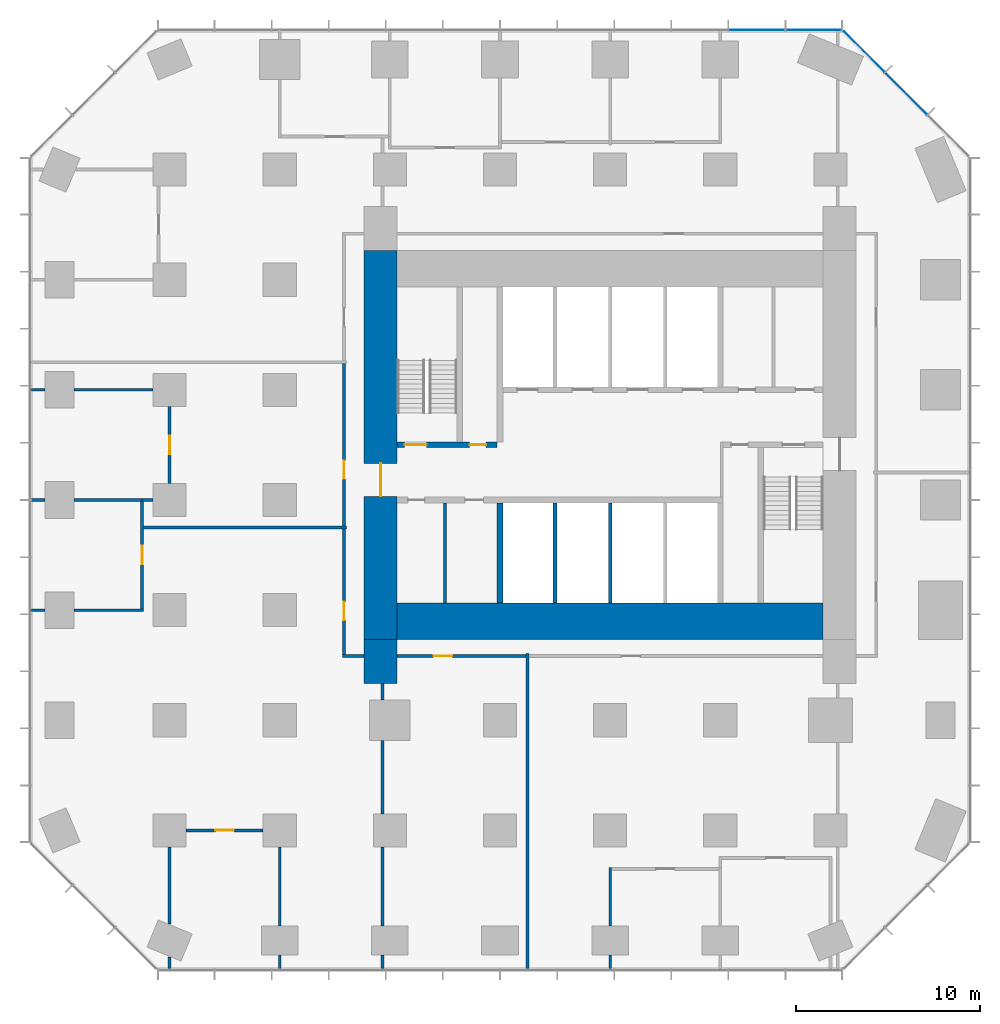
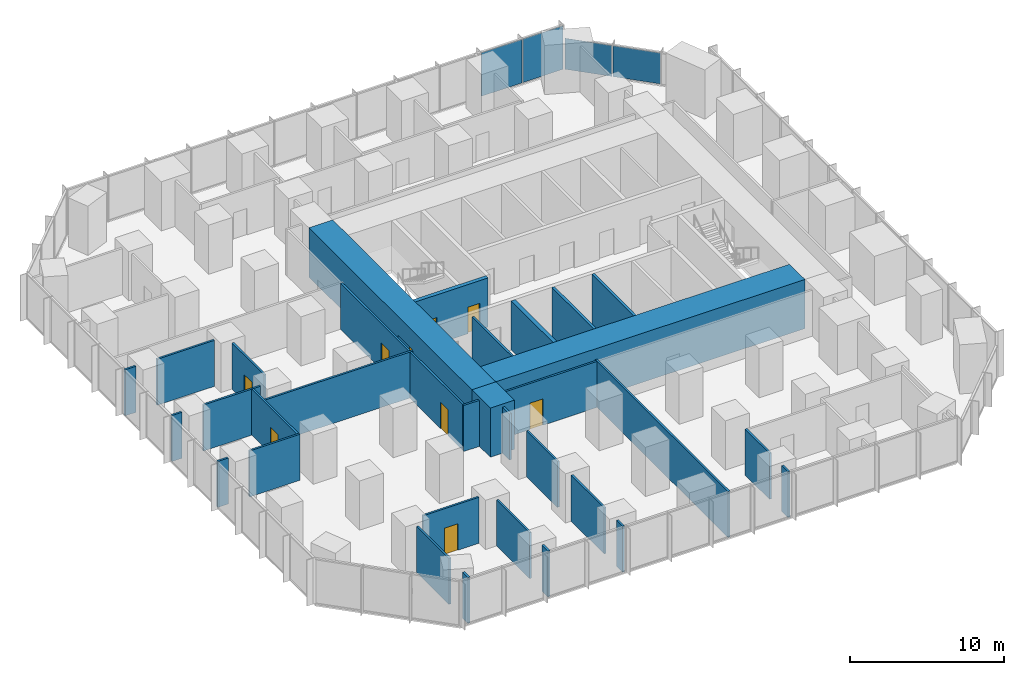
# One storey, part 8 of 12: 34 walls, 9 doors, 4 plates, 9 openings, 2 elements without a shape of their own.
"""IFC4 building model written with IfcOpenShell, lengths in metres."""

from ifc_helpers import new_model, si_unit, direction, frame, frame_2d, origin, origin_2d, place, context, subcontext, project, spatial, rectangle, extrude, material, layer, layer_set, type_object, element, fill, aggregate, save


model = new_model("IFC4")

# Units and contexts
model_context = context("Model", 3, precision=1e-05, world=origin(), true_north=direction((0.0, 1.0)))
body_context = subcontext(model_context, "Body", "Model", "MODEL_VIEW")
ifc_project = project(units=[si_unit("LENGTHUNIT", "METRE"), si_unit("AREAUNIT", "SQUARE_METRE"), si_unit("VOLUMEUNIT", "CUBIC_METRE"), si_unit("PLANEANGLEUNIT", "RADIAN"), si_unit("MASSUNIT", "GRAM", prefix="KILO")], contexts=[model_context])

# Site, building, storey
site_placement = place(None, origin())
site = spatial("IfcSite", under=ifc_project, at=site_placement, CompositionType="ELEMENT")
building_placement = place(site_placement, origin())
building = spatial("IfcBuilding", under=site, at=building_placement, Name="Highveld Stack Headquarters", CompositionType="ELEMENT")
storey_placement = place(building_placement, frame((0.0, 0.0, 37.699951171875)))
storey = spatial("IfcBuildingStorey", under=building, at=storey_placement, Name="L08", CompositionType="ELEMENT", Elevation=37.699951171875)

# Curtain wall, plates
ifc_material_1 = material(Name="Aluminium bronze anodised", Category="aluminium")
ifc_layer_1 = layer(ifc_material_1, 0.199951171875)
ifc_layer_set_1 = layer_set([ifc_layer_1], Name="Aluminium bronze anodised")
curtain_wall_type_1 = type_object("IfcCurtainWallType", Name="CW1 TOWER UNITISED CURTAIN WALL", PredefinedType="NOTDEFINED", material=ifc_layer_set_1)
curtain_wall_1_placement = place(storey_placement, origin())
curtain_wall_1 = element("IfcCurtainWall", 1, at=curtain_wall_1_placement, inside=storey, type_object=curtain_wall_type_1, Name="Curtain wall CW1 L08 N", PredefinedType="NOTDEFINED")
ifc_material_2 = material(Name="Glass bronze tinted double glazed unit", Category="glass")
ifc_layer_2 = layer(ifc_material_2, 0.028076171875)
ifc_layer_set_2 = layer_set([ifc_layer_2], Name="Glass bronze tinted double glazed unit")
plate_type_1 = type_object("IfcPlateType", Name="CW1 PANEL BRONZE TINTED DOUBLE GLAZED UNIT", PredefinedType="CURTAIN_PANEL", material=ifc_layer_set_2)
plate_1_placement = place(storey_placement, frame((17.09130859375, 25.60009765625, 0.10009765625), z_axis=(0.0, 0.0, 1.0), x_axis=(-1.0, 0.0, 0.0)))
plate_1 = element("IfcPlate", 2, at=plate_1_placement, type_object=plate_type_1, Name="CW1 panel L08 1.1", PredefinedType="CURTAIN_PANEL", context=body_context, shape_type="SweptSolid", body=[
    extrude(rectangle(XDim=3.012939453125, YDim=0.028076171875, at=origin_2d()), origin(), (0.0, 0.0, 1.0), 3.449951171875),
])
plate_2_placement = place(storey_placement, frame((13.9970703125, 25.60009765625, 0.10009765625), z_axis=(0.0, 0.0, 1.0), x_axis=(-1.0, 0.0, 0.0)))
plate_2 = element("IfcPlate", 3, at=plate_2_placement, type_object=plate_type_1, Name="CW1 panel L08 2.1", PredefinedType="CURTAIN_PANEL", context=body_context, shape_type="SweptSolid", body=[
    extrude(rectangle(XDim=3.04541015625, YDim=0.028076171875, at=origin_2d()), origin(), (0.0, 0.0, 1.0), 3.449951171875),
])
aggregate(curtain_wall_1, [plate_1, plate_2])

ifc_material_3 = material(Name="Aluminium bronze anodised", Category="aluminium")
ifc_layer_3 = layer(ifc_material_3, 0.199951171875)
ifc_layer_set_3 = layer_set([ifc_layer_3], Name="Aluminium bronze anodised")
curtain_wall_type_2 = type_object("IfcCurtainWallType", Name="CW2 TOWER CHAMFER UNITISED CURTAIN WALL", PredefinedType="NOTDEFINED", material=ifc_layer_set_3)
curtain_wall_2_placement = place(storey_placement, origin())
curtain_wall_2 = element("IfcCurtainWall", 4, at=curtain_wall_2_placement, inside=storey, type_object=curtain_wall_type_2, Name="Curtain wall CW2 L08 NE", PredefinedType="NOTDEFINED")
ifc_material_4 = material(Name="Glass bronze tinted double glazed unit", Category="glass")
ifc_layer_4 = layer(ifc_material_4, 0.028076171875)
ifc_layer_set_4 = layer_set([ifc_layer_4], Name="Glass bronze tinted double glazed unit")
plate_type_2 = type_object("IfcPlateType", Name="CW2 PANEL BRONZE TINTED DOUBLE GLAZED UNIT", PredefinedType="CURTAIN_PANEL", material=ifc_layer_set_4)
plate_3_placement = place(storey_placement, frame((22.13134765625, 22.13134765625, 0.10009765625), z_axis=(0.0, 0.0, 1.0), x_axis=(-0.707106781187, 0.707106781187, 0.0)))
plate_3 = element("IfcPlate", 5, at=plate_3_placement, type_object=plate_type_2, Name="CW2 panel L08 2.1", PredefinedType="CURTAIN_PANEL", context=body_context, shape_type="SweptSolid", body=[
    extrude(rectangle(XDim=3.205322265625, YDim=0.028076171875, at=origin_2d()), origin(), (0.0, 0.0, 1.0), 2.449951171875),
])
plate_4_placement = place(storey_placement, frame((19.8427734375, 24.419921875, 0.10009765625), z_axis=(0.0, 0.0, 1.0), x_axis=(-0.707106781187, 0.707106781187, 0.0)))
plate_4 = element("IfcPlate", 6, at=plate_4_placement, type_object=plate_type_2, Name="CW2 panel L08 3.1", PredefinedType="CURTAIN_PANEL", context=body_context, shape_type="SweptSolid", body=[
    extrude(rectangle(XDim=3.1376953125, YDim=0.028076171875, at=origin_2d()), origin(), (0.0, 0.0, 1.0), 2.449951171875),
])
aggregate(curtain_wall_2, [plate_3, plate_4])

# Wall, opening, door
ifc_material_5 = material(Name="Concrete C60/75", Category="concrete")
ifc_layer_5 = layer(ifc_material_5, 1.800048828125)
ifc_layer_set_5 = layer_set([ifc_layer_5], Name="Concrete C60/75")
wall_type_1 = type_object("IfcWallType", Name="CORE WALL 1800 C60/75", PredefinedType="SHEAR", material=ifc_layer_set_5)
wall_1_placement = place(storey_placement, frame((-6.5, -7.60009765625, 0.0), z_axis=(0.0, 0.0, 1.0), x_axis=(0.0, 1.0, 0.0)))
wall_1 = element("IfcWall", 7, at=wall_1_placement, inside=storey, type_object=wall_type_1, Name="Core wall W L08", PredefinedType="SHEAR", context=body_context, shape_type="SweptSolid", body=[
    extrude(rectangle(XDim=21.2001953125, YDim=1.800048828125, at=frame_2d((10.60009765625, 0.0))), origin(), (0.0, 0.0, 1.0), 3.900146484375),
])
opening_1_placement = place(wall_1_placement, frame((7.800048828125, 0.0, 0.0)))
opening_1 = element("IfcOpeningElement", 8, at=opening_1_placement, cuts=wall_1, Name="Opening L08-01", PredefinedType="OPENING", context=body_context, shape_type="SweptSolid", body=[
    extrude(rectangle(XDim=1.800048828125, YDim=2.39990234375, at=frame_2d((0.89990234375, 1.199951171875))), frame((0.0, 0.909912109375, 0.0), z_axis=(0.0, -1.0, 0.0), x_axis=(1.0, 0.0, 0.0)), (0.0, 0.0, 1.0), 1.820068359375),
])
ifc_material_6 = material(Name="Steel fire door", Category="steel")
door_type_1 = type_object("IfcDoorType", Name="LOBBY FIRE DOOR D4 1800x2400", OperationType="DOUBLE_DOOR_SINGLE_SWING", PredefinedType="DOOR", material=ifc_material_6)
door_1_placement = place(opening_1_placement, origin())
door_1 = element("IfcDoor", 9, at=door_1_placement, inside=storey, type_object=door_type_1, Name="Core west door L08", OperationType="DOUBLE_DOOR_SINGLE_SWING", OverallHeight=2.39990234375, OverallWidth=1.800048828125, PredefinedType="DOOR", context=body_context, shape_type="SweptSolid", body=[
    extrude(rectangle(XDim=1.800048828125, YDim=2.39990234375, at=frame_2d((0.89990234375, 1.199951171875))), frame((0.0, 0.02490234375, 0.0), z_axis=(0.0, -1.0, 0.0), x_axis=(1.0, 0.0, 0.0)), (0.0, 0.0, 1.0), 0.050048828125),
])
fill(opening_1, door_1)

# Wall
ifc_material_7 = material(Name="Concrete C60/75", Category="concrete")
ifc_layer_6 = layer(ifc_material_7, 2.0)
ifc_layer_set_6 = layer_set([ifc_layer_6], Name="Concrete C60/75")
wall_type_2 = type_object("IfcWallType", Name="CORE WALL 2000 C60/75", PredefinedType="SHEAR", material=ifc_layer_set_6)
wall_2_placement = place(storey_placement, frame((-5.60009765625, -6.60009765625, 0.0), z_axis=(0.0, 0.0, 1.0), x_axis=(1.0, 0.0, 0.0)))
element("IfcWall", 10, at=wall_2_placement, inside=storey, type_object=wall_type_2, Name="Core wall S L08", PredefinedType="SHEAR", context=body_context, shape_type="SweptSolid", body=[
    extrude(rectangle(XDim=23.2001953125, YDim=2.0, at=frame_2d((11.60009765625, 0.0))), origin(), (0.0, 0.0, 1.0), 3.900146484375),
])

# Wall, openings, doors
ifc_material_8 = material(Name="Concrete C60/75", Category="concrete")
ifc_layer_7 = layer(ifc_material_8, 0.300048828125)
ifc_layer_set_7 = layer_set([ifc_layer_7], Name="Concrete C60/75")
wall_type_3 = type_object("IfcWallType", Name="CORE WALL 300 C60/75", PredefinedType="SHEAR", material=ifc_layer_set_7)
wall_3_placement = place(storey_placement, frame((-5.60009765625, 3.0, 0.0), z_axis=(0.0, 0.0, 1.0), x_axis=(1.0, 0.0, 0.0)))
wall_3 = element("IfcWall", 11, at=wall_3_placement, inside=storey, type_object=wall_type_3, Name="Core wall I-Y3W L08", PredefinedType="SHEAR", context=body_context, shape_type="SweptSolid", body=[
    extrude(rectangle(XDim=5.4501953125, YDim=0.300048828125, at=frame_2d((2.72509765625, 0.0))), origin(), (0.0, 0.0, 1.0), 3.900146484375),
])
opening_2_placement = place(wall_3_placement, frame((0.39990234375, 0.0, 0.0)))
opening_2 = element("IfcOpeningElement", 12, at=opening_2_placement, cuts=wall_3, Name="Opening L08-03", PredefinedType="OPENING", context=body_context, shape_type="SweptSolid", body=[
    extrude(rectangle(XDim=1.199951171875, YDim=2.10009765625, at=frame_2d((0.60009765625, 1.050048828125))), frame((0.0, 0.159912109375, 0.0), z_axis=(0.0, -1.0, 0.0), x_axis=(1.0, 0.0, 0.0)), (0.0, 0.0, 1.0), 0.320068359375),
])
opening_3_placement = place(wall_3_placement, frame((3.949951171875, 0.0, 0.0)))
opening_3 = element("IfcOpeningElement", 13, at=opening_3_placement, cuts=wall_3, Name="Opening L08-04", PredefinedType="OPENING", context=body_context, shape_type="SweptSolid", body=[
    extrude(rectangle(XDim=0.89990234375, YDim=2.10009765625, at=frame_2d((0.449951171875, 1.050048828125))), frame((0.0, 0.159912109375, 0.0), z_axis=(0.0, -1.0, 0.0), x_axis=(1.0, 0.0, 0.0)), (0.0, 0.0, 1.0), 0.320068359375),
])
ifc_material_9 = material(Name="Steel fire door", Category="steel")
door_type_2 = type_object("IfcDoorType", Name="RISER ACCESS DOOR D5 900x2100", OperationType="SINGLE_SWING_LEFT", PredefinedType="DOOR", material=ifc_material_9)
door_2_placement = place(opening_3_placement, origin())
door_2 = element("IfcDoor", 14, at=door_2_placement, inside=storey, type_object=door_type_2, Name="Riser R1 door L08", OperationType="SINGLE_SWING_RIGHT", OverallHeight=2.10009765625, OverallWidth=0.89990234375, PredefinedType="DOOR", context=body_context, shape_type="SweptSolid", body=[
    extrude(rectangle(XDim=0.89990234375, YDim=2.10009765625, at=frame_2d((0.449951171875, 1.050048828125))), frame((0.0, 0.02490234375, 0.0), z_axis=(0.0, -1.0, 0.0), x_axis=(1.0, 0.0, 0.0)), (0.0, 0.0, 1.0), 0.050048828125),
])
fill(opening_3, door_2)
ifc_material_10 = material(Name="Steel fire door", Category="steel")
door_type_3 = type_object("IfcDoorType", Name="STAIR FIRE DOOR D3 1200x2100", OperationType="SINGLE_SWING_LEFT", PredefinedType="DOOR", material=ifc_material_10)
door_3_placement = place(opening_2_placement, origin())
door_3 = element("IfcDoor", 15, at=door_3_placement, inside=storey, type_object=door_type_3, Name="Stair S1 door L08", OperationType="SINGLE_SWING_LEFT", OverallHeight=2.10009765625, OverallWidth=1.199951171875, PredefinedType="DOOR", context=body_context, shape_type="SweptSolid", body=[
    extrude(rectangle(XDim=1.199951171875, YDim=2.10009765625, at=frame_2d((0.60009765625, 1.050048828125))), frame((0.0, 0.02490234375, 0.0), z_axis=(0.0, -1.0, 0.0), x_axis=(1.0, 0.0, 0.0)), (0.0, 0.0, 1.0), 0.050048828125),
])
fill(opening_2, door_3)

# Walls
wall_4_placement = place(storey_placement, frame((0.0, -5.60009765625, 0.0), z_axis=(0.0, 0.0, 1.0), x_axis=(0.0, 1.0, 0.0)))
element("IfcWall", 16, at=wall_4_placement, inside=storey, type_object=wall_type_3, Name="Core wall I-X0S L08", PredefinedType="SHEAR", context=body_context, shape_type="SweptSolid", body=[
    extrude(rectangle(XDim=5.4501953125, YDim=0.300048828125, at=frame_2d((2.72509765625, 0.0))), origin(), (0.0, 0.0, 1.0), 3.900146484375),
])
ifc_material_11 = material(Name="Concrete C60/75", Category="concrete")
ifc_layer_8 = layer(ifc_material_11, 1.800048828125)
ifc_layer_set_8 = layer_set([ifc_layer_8], Name="Concrete C60/75")
wall_type_4 = type_object("IfcWallType", Name="CORE WING WALL 1800 C60/75", PredefinedType="SHEAR", material=ifc_layer_set_8)
wall_5_placement = place(storey_placement, frame((-6.5, -10.0, 0.0), z_axis=(0.0, 0.0, 1.0), x_axis=(0.0, 1.0, 0.0)))
element("IfcWall", 17, at=wall_5_placement, inside=storey, type_object=wall_type_4, Name="Core wing wall WS L08", PredefinedType="SHEAR", context=body_context, shape_type="SweptSolid", body=[
    extrude(rectangle(XDim=2.39990234375, YDim=1.800048828125, at=frame_2d((1.199951171875, 0.0))), origin(), (0.0, 0.0, 1.0), 3.900146484375),
])

# Wall, opening, door
ifc_material_12 = material(Name="Laminated glass in aluminium frame", Category="aluminium")
ifc_layer_9 = layer(ifc_material_12, 0.14990234375)
ifc_layer_set_9 = layer_set([ifc_layer_9], Name="Laminated glass in aluminium frame")
wall_type_5 = type_object("IfcWallType", Name="GLAZED PARTITION 150", PredefinedType="PARTITIONING", material=ifc_layer_set_9)
wall_6_placement = place(storey_placement, frame((-18.0, 0.89990234375, 0.0), z_axis=(0.0, 0.0, 1.0), x_axis=(0.0, 1.0, 0.0)))
wall_6 = element("IfcWall", 18, at=wall_6_placement, inside=storey, type_object=wall_type_5, Name="Glazed partition Meeting room L08", PredefinedType="PARTITIONING", context=body_context, shape_type="SweptSolid", body=[
    extrude(rectangle(XDim=4.2001953125, YDim=0.14990234375, at=frame_2d((2.10009765625, 0.0))), origin(), (0.0, 0.0, 1.0), 3.650146484375),
])
opening_4_placement = place(wall_6_placement, frame((1.60009765625, 0.0, 0.0)))
opening_4 = element("IfcOpeningElement", 19, at=opening_4_placement, cuts=wall_6, Name="Opening L08-15", PredefinedType="OPENING", context=body_context, shape_type="SweptSolid", body=[
    extrude(rectangle(XDim=1.0, YDim=2.10009765625, at=frame_2d((0.5, 1.050048828125))), frame((0.0, 0.0849609375, 0.0), z_axis=(0.0, -1.0, 0.0), x_axis=(1.0, 0.0, 0.0)), (0.0, 0.0, 1.0), 0.169921875),
])
ifc_material_13 = material(Name="Timber door, oiled ash", Category="wood")
door_type_4 = type_object("IfcDoorType", Name="ROOM DOOR D6 1000x2100", OperationType="SINGLE_SWING_LEFT", PredefinedType="DOOR", material=ifc_material_13)
door_4_placement = place(opening_4_placement, origin())
door_4 = element("IfcDoor", 20, at=door_4_placement, inside=storey, type_object=door_type_4, Name="Meeting room door 1 L08", OperationType="SINGLE_SWING_LEFT", OverallHeight=2.10009765625, OverallWidth=1.0, PredefinedType="DOOR", context=body_context, shape_type="SweptSolid", body=[
    extrude(rectangle(XDim=1.0, YDim=2.10009765625, at=frame_2d((0.5, 1.050048828125))), frame((0.0, 0.02490234375, 0.0), z_axis=(0.0, -1.0, 0.0), x_axis=(1.0, 0.0, 0.0)), (0.0, 0.0, 1.0), 0.050048828125),
])
fill(opening_4, door_4)

# Walls
ifc_material_14 = material(Name="Concrete blockwork, fair-faced", Category="masonry")
ifc_layer_10 = layer(ifc_material_14, 0.199951171875)
ifc_layer_set_10 = layer_set([ifc_layer_10], Name="Concrete blockwork, fair-faced")
wall_type_6 = type_object("IfcWallType", Name="LIFT SHAFT ENCLOSURE WALL 200 BLOCKWORK", PredefinedType="SOLIDWALL", material=ifc_layer_set_10)
for number, where, z_axis, x_axis, name in (
    (21, (3.0, -5.60009765625, 0.0), (0.0, 0.0, 1.0), (0.0, 1.0, 0.0), "Lift shaft wall L08"),
    (22, (6.0, -5.60009765625, 0.0), (0.0, 0.0, 1.0), (0.0, 1.0, 0.0), "Lift shaft wall L08"),
):
    element("IfcWall", number, at=place(storey_placement, frame(where, z_axis=z_axis, x_axis=x_axis)), inside=storey, type_object=wall_type_6, Name=name, PredefinedType="SOLIDWALL", context=body_context, shape_type="SweptSolid", body=[
        extrude(rectangle(XDim=5.4501953125, YDim=0.199951171875, at=frame_2d((2.72509765625, 0.0))), origin(), (0.0, 0.0, 1.0), 3.900146484375),
    ])

# Wall, opening, door
ifc_material_15 = material(Name="Gypsum plasterboard on steel studs", Category="steel")
ifc_layer_11 = layer(ifc_material_15, 0.14990234375)
ifc_layer_set_11 = layer_set([ifc_layer_11], Name="Gypsum plasterboard on steel studs")
wall_type_7 = type_object("IfcWallType", Name="PARTITION 150 PLASTERBOARD", PredefinedType="PARTITIONING", material=ifc_layer_set_11)
wall_7_placement = place(storey_placement, frame((-17.10009765625, -18.0, 0.0), z_axis=(0.0, 0.0, 1.0), x_axis=(1.0, 0.0, 0.0)))
wall_7 = element("IfcWall", 23, at=wall_7_placement, inside=storey, type_object=wall_type_7, Name="Partition Office L08", PredefinedType="PARTITIONING", context=body_context, shape_type="SweptSolid", body=[
    extrude(rectangle(XDim=4.2001953125, YDim=0.14990234375, at=frame_2d((2.10009765625, 0.0))), origin(), (0.0, 0.0, 1.0), 3.650146484375),
])
opening_5_placement = place(wall_7_placement, frame((1.60009765625, 0.0, 0.0)))
opening_5 = element("IfcOpeningElement", 24, at=opening_5_placement, cuts=wall_7, Name="Opening L08-11", PredefinedType="OPENING", context=body_context, shape_type="SweptSolid", body=[
    extrude(rectangle(XDim=1.0, YDim=2.10009765625, at=frame_2d((0.5, 1.050048828125))), frame((0.0, 0.0849609375, 0.0), z_axis=(0.0, -1.0, 0.0), x_axis=(1.0, 0.0, 0.0)), (0.0, 0.0, 1.0), 0.169921875),
])
door_5_placement = place(opening_5_placement, origin())
door_5 = element("IfcDoor", 25, at=door_5_placement, inside=storey, type_object=door_type_4, Name="Office door 1 L08", OperationType="SINGLE_SWING_RIGHT", OverallHeight=2.10009765625, OverallWidth=1.0, PredefinedType="DOOR", context=body_context, shape_type="SweptSolid", body=[
    extrude(rectangle(XDim=1.0, YDim=2.10009765625, at=frame_2d((0.5, 1.050048828125))), frame((0.0, 0.02490234375, 0.0), z_axis=(0.0, -1.0, 0.0), x_axis=(1.0, 0.0, 0.0)), (0.0, 0.0, 1.0), 0.050048828125),
])
fill(opening_5, door_5)

# Walls
wall_8_placement = place(storey_placement, frame((-25.60009765625, -6.0, 0.0), z_axis=(0.0, 0.0, 1.0), x_axis=(1.0, 0.0, 0.0)))
element("IfcWall", 26, at=wall_8_placement, inside=storey, type_object=wall_type_7, Name="Partition Quiet room L08", PredefinedType="PARTITIONING", context=body_context, shape_type="SweptSolid", body=[
    extrude(rectangle(XDim=0.800048828125, YDim=0.14990234375, at=frame_2d((0.39990234375, 0.0))), origin(), (0.0, 0.0, 1.0), 3.650146484375),
])
wall_9_placement = place(storey_placement, frame((-23.199951171875, -6.0, 0.0), z_axis=(0.0, 0.0, 1.0), x_axis=(1.0, 0.0, 0.0)))
element("IfcWall", 27, at=wall_9_placement, inside=storey, type_object=wall_type_7, Name="Partition Quiet room L08", PredefinedType="PARTITIONING", context=body_context, shape_type="SweptSolid", body=[
    extrude(rectangle(XDim=3.77490234375, YDim=0.14990234375, at=frame_2d((1.887451171875, 0.0))), origin(), (0.0, 0.0, 1.0), 3.650146484375),
])
wall_10_placement = place(storey_placement, frame((-25.550048828125, 0.0, 0.0), z_axis=(0.0, 0.0, 1.0), x_axis=(1.0, 0.0, 0.0)))
element("IfcWall", 28, at=wall_10_placement, inside=storey, type_object=wall_type_7, Name="Partition Meeting room / Quiet room L08", PredefinedType="PARTITIONING", context=body_context, shape_type="SweptSolid", body=[
    extrude(rectangle(XDim=0.75, YDim=0.14990234375, at=frame_2d((0.375, 0.0))), origin(), (0.0, 0.0, 1.0), 3.650146484375),
])
wall_11_placement = place(storey_placement, frame((-23.199951171875, 0.0, 0.0), z_axis=(0.0, 0.0, 1.0), x_axis=(1.0, 0.0, 0.0)))
element("IfcWall", 29, at=wall_11_placement, inside=storey, type_object=wall_type_7, Name="Partition Meeting room / Quiet room L08", PredefinedType="PARTITIONING", context=body_context, shape_type="SweptSolid", body=[
    extrude(rectangle(XDim=3.77490234375, YDim=0.14990234375, at=frame_2d((1.887451171875, 0.0))), origin(), (0.0, 0.0, 1.0), 3.650146484375),
])
wall_12_placement = place(storey_placement, frame((-19.5, 0.0, 0.0), z_axis=(0.0, 0.0, 1.0), x_axis=(1.0, 0.0, 0.0)))
element("IfcWall", 30, at=wall_12_placement, inside=storey, type_object=wall_type_7, Name="Partition Meeting room L08", PredefinedType="PARTITIONING", context=body_context, shape_type="SweptSolid", body=[
    extrude(rectangle(XDim=0.60009765625, YDim=0.14990234375, at=frame_2d((0.300048828125, 0.0))), origin(), (0.0, 0.0, 1.0), 3.650146484375),
])
wall_13_placement = place(storey_placement, frame((-25.60009765625, 6.0, 0.0), z_axis=(0.0, 0.0, 1.0), x_axis=(1.0, 0.0, 0.0)))
element("IfcWall", 31, at=wall_13_placement, inside=storey, type_object=wall_type_7, Name="Partition Meeting room L08", PredefinedType="PARTITIONING", context=body_context, shape_type="SweptSolid", body=[
    extrude(rectangle(XDim=0.800048828125, YDim=0.14990234375, at=frame_2d((0.39990234375, 0.0))), origin(), (0.0, 0.0, 1.0), 3.650146484375),
])
wall_14_placement = place(storey_placement, frame((-23.199951171875, 6.0, 0.0), z_axis=(0.0, 0.0, 1.0), x_axis=(1.0, 0.0, 0.0)))
element("IfcWall", 32, at=wall_14_placement, inside=storey, type_object=wall_type_7, Name="Partition Meeting room L08", PredefinedType="PARTITIONING", context=body_context, shape_type="SweptSolid", body=[
    extrude(rectangle(XDim=4.300048828125, YDim=0.14990234375, at=frame_2d((2.14990234375, 0.0))), origin(), (0.0, 0.0, 1.0), 3.650146484375),
])

# Wall, opening, door
wall_15_placement = place(storey_placement, frame((-19.5, -5.925048828125, 0.0), z_axis=(0.0, 0.0, 1.0), x_axis=(0.0, 1.0, 0.0)))
wall_15 = element("IfcWall", 33, at=wall_15_placement, inside=storey, type_object=wall_type_7, Name="Partition Quiet room L08", PredefinedType="PARTITIONING", context=body_context, shape_type="SweptSolid", body=[
    extrude(rectangle(XDim=5.85009765625, YDim=0.14990234375, at=frame_2d((2.925048828125, 0.0))), origin(), (0.0, 0.0, 1.0), 3.650146484375),
])
opening_6_placement = place(wall_15_placement, frame((2.425048828125, 0.0, 0.0)))
opening_6 = element("IfcOpeningElement", 34, at=opening_6_placement, cuts=wall_15, Name="Opening L08-14", PredefinedType="OPENING", context=body_context, shape_type="SweptSolid", body=[
    extrude(rectangle(XDim=1.0, YDim=2.10009765625, at=frame_2d((0.5, 1.050048828125))), frame((0.0, 0.0849609375, 0.0), z_axis=(0.0, -1.0, 0.0), x_axis=(1.0, 0.0, 0.0)), (0.0, 0.0, 1.0), 0.169921875),
])
door_6_placement = place(opening_6_placement, origin())
door_6 = element("IfcDoor", 35, at=door_6_placement, inside=storey, type_object=door_type_4, Name="Quiet room door 1 L08", OperationType="SINGLE_SWING_RIGHT", OverallHeight=2.10009765625, OverallWidth=1.0, PredefinedType="DOOR", context=body_context, shape_type="SweptSolid", body=[
    extrude(rectangle(XDim=1.0, YDim=2.10009765625, at=frame_2d((0.5, 1.050048828125))), frame((0.0, 0.02490234375, 0.0), z_axis=(0.0, -1.0, 0.0), x_axis=(1.0, 0.0, 0.0)), (0.0, 0.0, 1.0), 0.050048828125),
])
fill(opening_6, door_6)

# Walls
wall_16_placement = place(storey_placement, frame((-18.0, -25.60009765625, 0.0), z_axis=(0.0, 0.0, 1.0), x_axis=(0.0, 1.0, 0.0)))
element("IfcWall", 36, at=wall_16_placement, inside=storey, type_object=wall_type_7, Name="Partition Office L08", PredefinedType="PARTITIONING", context=body_context, shape_type="SweptSolid", body=[
    extrude(rectangle(XDim=0.703125, YDim=0.14990234375, at=frame_2d((0.3515625, 0.0))), origin(), (0.0, 0.0, 1.0), 3.650146484375),
])
wall_17_placement = place(storey_placement, frame((-18.0, -23.10302734375, 0.0), z_axis=(0.0, 0.0, 1.0), x_axis=(0.0, 1.0, 0.0)))
element("IfcWall", 37, at=wall_17_placement, inside=storey, type_object=wall_type_7, Name="Partition Office L08", PredefinedType="PARTITIONING", context=body_context, shape_type="SweptSolid", body=[
    extrude(rectangle(XDim=4.203125, YDim=0.14990234375, at=frame_2d((2.1015625, 0.0))), origin(), (0.0, 0.0, 1.0), 3.650146484375),
])
wall_18_placement = place(storey_placement, frame((-12.0, -25.60009765625, 0.0), z_axis=(0.0, 0.0, 1.0), x_axis=(0.0, 1.0, 0.0)))
element("IfcWall", 38, at=wall_18_placement, inside=storey, type_object=wall_type_7, Name="Partition Office L08", PredefinedType="PARTITIONING", context=body_context, shape_type="SweptSolid", body=[
    extrude(rectangle(XDim=0.800048828125, YDim=0.14990234375, at=frame_2d((0.39990234375, 0.0))), origin(), (0.0, 0.0, 1.0), 3.650146484375),
])
wall_19_placement = place(storey_placement, frame((-12.0, -23.199951171875, 0.0), z_axis=(0.0, 0.0, 1.0), x_axis=(0.0, 1.0, 0.0)))
element("IfcWall", 39, at=wall_19_placement, inside=storey, type_object=wall_type_7, Name="Partition Office L08", PredefinedType="PARTITIONING", context=body_context, shape_type="SweptSolid", body=[
    extrude(rectangle(XDim=4.300048828125, YDim=0.14990234375, at=frame_2d((2.14990234375, 0.0))), origin(), (0.0, 0.0, 1.0), 3.650146484375),
])
wall_20_placement = place(storey_placement, frame((6.0, -25.60009765625, 0.0), z_axis=(0.0, 0.0, 1.0), x_axis=(0.0, 1.0, 0.0)))
element("IfcWall", 40, at=wall_20_placement, inside=storey, type_object=wall_type_7, Name="Partition Focus room L08", PredefinedType="PARTITIONING", context=body_context, shape_type="SweptSolid", body=[
    extrude(rectangle(XDim=0.800048828125, YDim=0.14990234375, at=frame_2d((0.39990234375, 0.0))), origin(), (0.0, 0.0, 1.0), 3.650146484375),
])
wall_21_placement = place(storey_placement, frame((6.0, -23.199951171875, 0.0), z_axis=(0.0, 0.0, 1.0), x_axis=(0.0, 1.0, 0.0)))
element("IfcWall", 41, at=wall_21_placement, inside=storey, type_object=wall_type_7, Name="Partition Focus room L08", PredefinedType="PARTITIONING", context=body_context, shape_type="SweptSolid", body=[
    extrude(rectangle(XDim=3.175048828125, YDim=0.14990234375, at=frame_2d((1.58740234375, 0.0))), origin(), (0.0, 0.0, 1.0), 3.650146484375),
])
wall_22_placement = place(storey_placement, frame((-19.425048828125, -1.5, 0.0), z_axis=(0.0, 0.0, 1.0), x_axis=(1.0, 0.0, 0.0)))
element("IfcWall", 42, at=wall_22_placement, inside=storey, type_object=wall_type_7, Name="Partition office neighbourhood L08", PredefinedType="PARTITIONING", context=body_context, shape_type="SweptSolid", body=[
    extrude(rectangle(XDim=11.074951171875, YDim=0.14990234375, at=frame_2d((5.53759765625, 0.0))), origin(), (0.0, 0.0, 1.0), 3.650146484375),
])

# Wall, opening, door
wall_23_placement = place(storey_placement, frame((-8.5, -8.425048828125, 0.0), z_axis=(0.0, 0.0, 1.0), x_axis=(0.0, 1.0, 0.0)))
wall_23 = element("IfcWall", 43, at=wall_23_placement, inside=storey, type_object=wall_type_7, Name="Partition office neighbourhood L08", PredefinedType="PARTITIONING", context=body_context, shape_type="SweptSolid", body=[
    extrude(rectangle(XDim=6.85009765625, YDim=0.14990234375, at=frame_2d((3.425048828125, 0.0))), origin(), (0.0, 0.0, 1.0), 3.650146484375),
])
opening_7_placement = place(wall_23_placement, frame((1.875, 0.0, 0.0)))
opening_7 = element("IfcOpeningElement", 44, at=opening_7_placement, cuts=wall_23, Name="Opening L08-21", PredefinedType="OPENING", context=body_context, shape_type="SweptSolid", body=[
    extrude(rectangle(XDim=1.0, YDim=2.10009765625, at=frame_2d((0.5, 1.050048828125))), frame((0.0, 0.0849609375, 0.0), z_axis=(0.0, -1.0, 0.0), x_axis=(1.0, 0.0, 0.0)), (0.0, 0.0, 1.0), 0.169921875),
])
door_7_placement = place(opening_7_placement, origin())
door_7 = element("IfcDoor", 45, at=door_7_placement, inside=storey, type_object=door_type_4, Name="Office neighbourhood door L08", OperationType="SINGLE_SWING_LEFT", OverallHeight=2.10009765625, OverallWidth=1.0, PredefinedType="DOOR", context=body_context, shape_type="SweptSolid", body=[
    extrude(rectangle(XDim=1.0, YDim=2.10009765625, at=frame_2d((0.5, 1.050048828125))), frame((0.0, 0.02490234375, 0.0), z_axis=(0.0, -1.0, 0.0), x_axis=(1.0, 0.0, 0.0)), (0.0, 0.0, 1.0), 0.050048828125),
])
fill(opening_7, door_7)

# Wall
wall_24_placement = place(storey_placement, frame((-8.574951171875, -8.5, 0.0), z_axis=(0.0, 0.0, 1.0), x_axis=(1.0, 0.0, 0.0)))
element("IfcWall", 46, at=wall_24_placement, inside=storey, type_object=wall_type_7, Name="Partition office neighbourhood L08", PredefinedType="PARTITIONING", context=body_context, shape_type="SweptSolid", body=[
    extrude(rectangle(XDim=1.175048828125, YDim=0.14990234375, at=frame_2d((0.58740234375, 0.0))), origin(), (0.0, 0.0, 1.0), 3.650146484375),
])

# Wall, opening, door
wall_25_placement = place(storey_placement, frame((-8.5, -1.425048828125, 0.0), z_axis=(0.0, 0.0, 1.0), x_axis=(0.0, 1.0, 0.0)))
wall_25 = element("IfcWall", 47, at=wall_25_placement, inside=storey, type_object=wall_type_7, Name="Partition office neighbourhood L08", PredefinedType="PARTITIONING", context=body_context, shape_type="SweptSolid", body=[
    extrude(rectangle(XDim=8.85009765625, YDim=0.14990234375, at=frame_2d((4.425048828125, 0.0))), origin(), (0.0, 0.0, 1.0), 3.650146484375),
])
opening_8_placement = place(wall_25_placement, frame((2.574951171875, 0.0, 0.0)))
opening_8 = element("IfcOpeningElement", 48, at=opening_8_placement, cuts=wall_25, Name="Opening L08-23", PredefinedType="OPENING", context=body_context, shape_type="SweptSolid", body=[
    extrude(rectangle(XDim=1.0, YDim=2.10009765625, at=frame_2d((0.5, 1.050048828125))), frame((0.0, 0.0849609375, 0.0), z_axis=(0.0, -1.0, 0.0), x_axis=(1.0, 0.0, 0.0)), (0.0, 0.0, 1.0), 0.169921875),
])
door_8_placement = place(opening_8_placement, origin())
door_8 = element("IfcDoor", 49, at=door_8_placement, inside=storey, type_object=door_type_4, Name="Office neighbourhood door L08", OperationType="SINGLE_SWING_LEFT", OverallHeight=2.10009765625, OverallWidth=1.0, PredefinedType="DOOR", context=body_context, shape_type="SweptSolid", body=[
    extrude(rectangle(XDim=1.0, YDim=2.10009765625, at=frame_2d((0.5, 1.050048828125))), frame((0.0, 0.02490234375, 0.0), z_axis=(0.0, -1.0, 0.0), x_axis=(1.0, 0.0, 0.0)), (0.0, 0.0, 1.0), 0.050048828125),
])
fill(opening_8, door_8)

# Walls
wall_26_placement = place(storey_placement, frame((-6.39990234375, -25.60009765625, 0.0), z_axis=(0.0, 0.0, 1.0), x_axis=(0.0, 1.0, 0.0)))
element("IfcWall", 50, at=wall_26_placement, inside=storey, type_object=wall_type_7, Name="Partition office neighbourhood L08", PredefinedType="PARTITIONING", context=body_context, shape_type="SweptSolid", body=[
    extrude(rectangle(XDim=0.800048828125, YDim=0.14990234375, at=frame_2d((0.39990234375, 0.0))), origin(), (0.0, 0.0, 1.0), 3.650146484375),
])
wall_27_placement = place(storey_placement, frame((-6.39990234375, -23.199951171875, 0.0), z_axis=(0.0, 0.0, 1.0), x_axis=(0.0, 1.0, 0.0)))
element("IfcWall", 51, at=wall_27_placement, inside=storey, type_object=wall_type_7, Name="Partition office neighbourhood L08", PredefinedType="PARTITIONING", context=body_context, shape_type="SweptSolid", body=[
    extrude(rectangle(XDim=4.300048828125, YDim=0.14990234375, at=frame_2d((2.14990234375, 0.0))), origin(), (0.0, 0.0, 1.0), 3.650146484375),
])
wall_28_placement = place(storey_placement, frame((-6.39990234375, -17.10009765625, 0.0), z_axis=(0.0, 0.0, 1.0), x_axis=(0.0, 1.0, 0.0)))
element("IfcWall", 52, at=wall_28_placement, inside=storey, type_object=wall_type_7, Name="Partition office neighbourhood L08", PredefinedType="PARTITIONING", context=body_context, shape_type="SweptSolid", body=[
    extrude(rectangle(XDim=4.0, YDim=0.14990234375, at=frame_2d((2.0, 0.0))), origin(), (0.0, 0.0, 1.0), 3.650146484375),
])
wall_29_placement = place(storey_placement, frame((-6.39990234375, -10.89990234375, 0.0), z_axis=(0.0, 0.0, 1.0), x_axis=(0.0, 1.0, 0.0)))
element("IfcWall", 53, at=wall_29_placement, inside=storey, type_object=wall_type_7, Name="Partition office neighbourhood L08", PredefinedType="PARTITIONING", context=body_context, shape_type="SweptSolid", body=[
    extrude(rectangle(XDim=0.89990234375, YDim=0.14990234375, at=frame_2d((0.449951171875, 0.0))), origin(), (0.0, 0.0, 1.0), 3.650146484375),
])

# Wall, opening, door
wall_30_placement = place(storey_placement, frame((1.425048828125, -8.5, 0.0), z_axis=(0.0, 0.0, 1.0), x_axis=(-1.0, 0.0, 0.0)))
wall_30 = element("IfcWall", 54, at=wall_30_placement, inside=storey, type_object=wall_type_7, Name="Partition office neighbourhood L08", PredefinedType="PARTITIONING", context=body_context, shape_type="SweptSolid", body=[
    extrude(rectangle(XDim=7.025146484375, YDim=0.14990234375, at=frame_2d((3.5126953125, 0.0))), origin(), (0.0, 0.0, 1.0), 3.650146484375),
])
opening_9_placement = place(wall_30_placement, frame((4.0400390625, 0.0, 0.0)))
opening_9 = element("IfcOpeningElement", 55, at=opening_9_placement, cuts=wall_30, Name="Opening L08-26", PredefinedType="OPENING", context=body_context, shape_type="SweptSolid", body=[
    extrude(rectangle(XDim=1.0, YDim=2.10009765625, at=frame_2d((0.5, 1.050048828125))), frame((0.0, 0.0849609375, 0.0), z_axis=(0.0, -1.0, 0.0), x_axis=(1.0, 0.0, 0.0)), (0.0, 0.0, 1.0), 0.169921875),
])
door_9_placement = place(opening_9_placement, origin())
door_9 = element("IfcDoor", 56, at=door_9_placement, inside=storey, type_object=door_type_4, Name="Office neighbourhood door L08", OperationType="SINGLE_SWING_RIGHT", OverallHeight=2.10009765625, OverallWidth=1.0, PredefinedType="DOOR", context=body_context, shape_type="SweptSolid", body=[
    extrude(rectangle(XDim=1.0, YDim=2.10009765625, at=frame_2d((0.5, 1.050048828125))), frame((0.0, 0.02490234375, 0.0), z_axis=(0.0, -1.0, 0.0), x_axis=(1.0, 0.0, 0.0)), (0.0, 0.0, 1.0), 0.050048828125),
])
fill(opening_9, door_9)

# Walls
wall_31_placement = place(storey_placement, frame((1.5, -25.60009765625, 0.0), z_axis=(0.0, 0.0, 1.0), x_axis=(0.0, 1.0, 0.0)))
element("IfcWall", 57, at=wall_31_placement, inside=storey, type_object=wall_type_7, Name="Partition office neighbourhood L08", PredefinedType="PARTITIONING", context=body_context, shape_type="SweptSolid", body=[
    extrude(rectangle(XDim=17.25, YDim=0.14990234375, at=frame_2d((8.625, 0.0))), origin(), (0.0, 0.0, 1.0), 3.650146484375),
])
ifc_material_16 = material(Name="Concrete blockwork, tiled", Category="masonry")
ifc_layer_12 = layer(ifc_material_16, 0.14990234375)
ifc_layer_set_12 = layer_set([ifc_layer_12], Name="Concrete blockwork, tiled")
wall_type_8 = type_object("IfcWallType", Name="WC PARTITION 150", PredefinedType="PLUMBINGWALL", material=ifc_layer_set_12)
wall_32_placement = place(storey_placement, frame((-3.0, -5.60009765625, 0.0), z_axis=(0.0, 0.0, 1.0), x_axis=(0.0, 1.0, 0.0)))
element("IfcWall", 58, at=wall_32_placement, inside=storey, type_object=wall_type_8, Name="Toilet partition L08", PredefinedType="PLUMBINGWALL", context=body_context, shape_type="SweptSolid", body=[
    extrude(rectangle(XDim=5.4501953125, YDim=0.14990234375, at=frame_2d((2.72509765625, 0.0))), origin(), (0.0, 0.0, 1.0), 3.650146484375),
])

save(model, "model.ifc")
